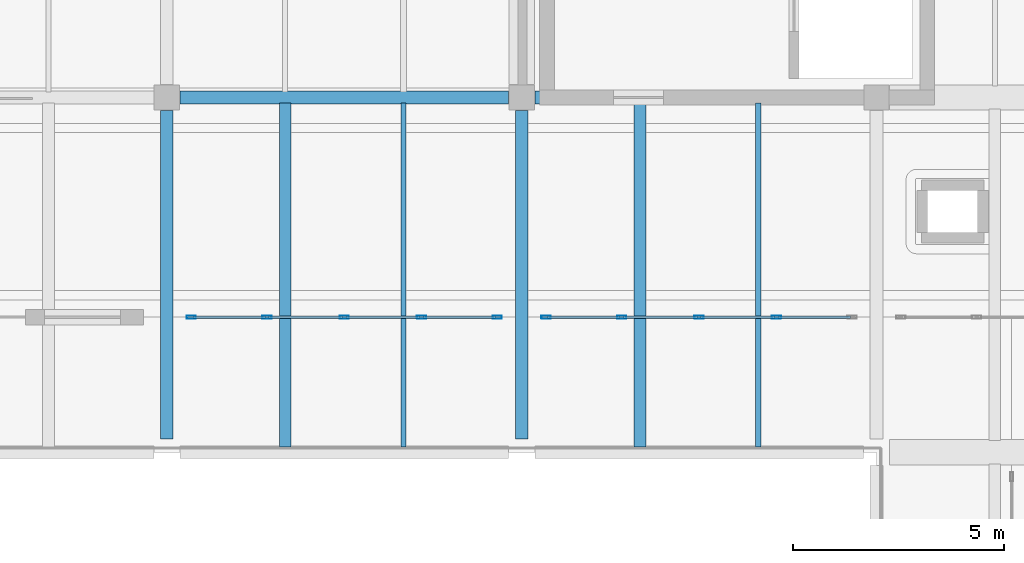
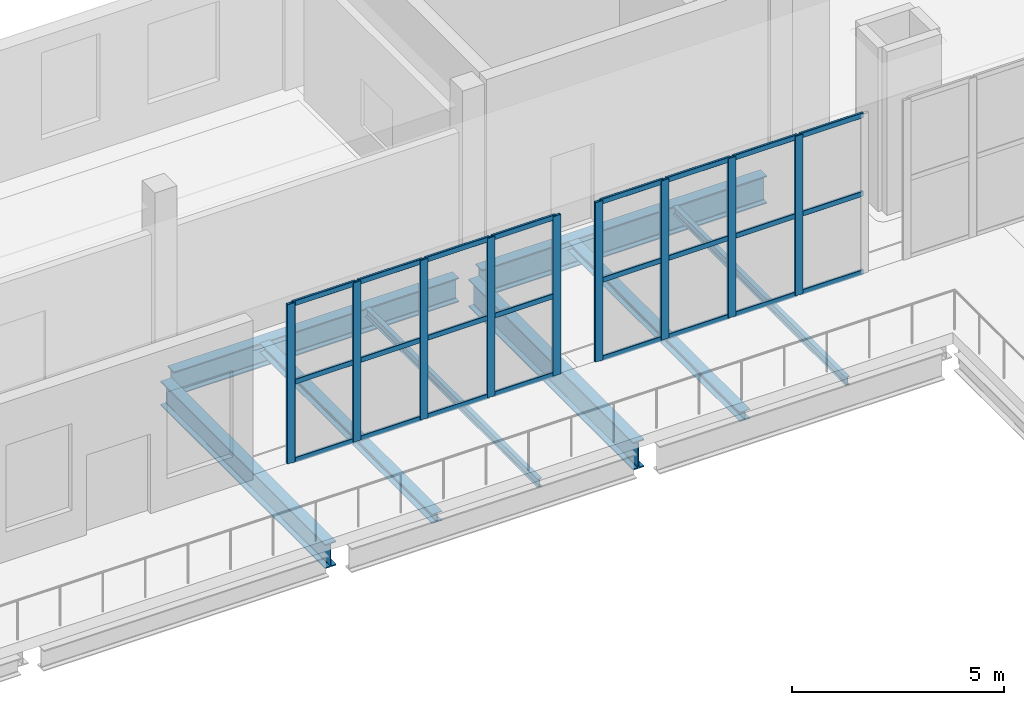
# One storey, part 32 of 77: 33 members, 8 beams, 2 elements without a shape of their own.
"""IFC4 building model written with IfcOpenShell, lengths in metres."""

from ifc_helpers import new_model, si_unit, direction, frame, origin, origin_2d, place, context, subcontext, project, spatial, hollow_rectangle, i_section, extrude, material, layer, layer_set, material_profile, profile_set, type_object, element, aggregate, save


model = new_model("IFC4")

# Units and contexts
model_context = context("Model", 3, precision=1e-05, world=origin(), true_north=direction((0.0, 1.0)))
body_context = subcontext(model_context, "Body", "Model", "MODEL_VIEW")
ifc_project = project(units=[si_unit("LENGTHUNIT", "METRE"), si_unit("AREAUNIT", "SQUARE_METRE"), si_unit("VOLUMEUNIT", "CUBIC_METRE"), si_unit("PLANEANGLEUNIT", "RADIAN"), si_unit("MASSUNIT", "GRAM", prefix="KILO")], contexts=[model_context])

# Site, building, storey
site_placement = place(None, origin())
site = spatial("IfcSite", under=ifc_project, at=site_placement, CompositionType="ELEMENT")
building_placement = place(site_placement, origin())
building = spatial("IfcBuilding", under=site, at=building_placement, Name="Zulmaris Art Gallery", CompositionType="ELEMENT")
storey_placement = place(building_placement, frame((0.0, 0.0, 15.60009765625)))
storey = spatial("IfcBuildingStorey", under=building, at=storey_placement, Name="L03", CompositionType="ELEMENT", Elevation=15.60009765625)

# Beams
ifc_material_1 = material(Name="Steel S355J2", Category="steel")
ifc_material_profile_1 = material_profile(ifc_material_1, i_section(OverallWidth=0.300048828125, OverallDepth=0.699951171875, WebThickness=0.01708984375, FlangeThickness=0.031982421875, FilletRadius=0.027099609375, at=origin_2d()), Name="HEB 700")
ifc_profile_set_1 = profile_set([ifc_material_profile_1], Name="Steel S355J2")
beam_type_1 = type_object("IfcBeamType", Name="BEAM-BM16", PredefinedType="BEAM", material=ifc_profile_set_1)
beam_1_placement = place(storey_placement, frame((108.31005859375, 67.199951171875, -0.72021484375), z_axis=(1.0, 0.0, 0.0), x_axis=(0.0, 1.0, 0.0)))
element("IfcBeam", 1, at=beam_1_placement, inside=storey, type_object=beam_type_1, Name="L03 X-girder (108.0..116.4, y=67.2)", PredefinedType="BEAM", context=body_context, shape_type="SweptSolid", body=[
    extrude(i_section(OverallWidth=0.300048828125, OverallDepth=0.699951171875, WebThickness=0.01708984375, FlangeThickness=0.031982421875, FilletRadius=0.027099609375, at=origin_2d()), origin(), (0.0, 0.0, 1.0), 7.780029296875),
])
beam_2_placement = place(storey_placement, frame((108.0, 59.110107421875, -0.72021484375), z_axis=(0.0, 1.0, 0.0), x_axis=(-1.0, 0.0, 0.0)))
element("IfcBeam", 2, at=beam_2_placement, inside=storey, type_object=beam_type_1, Name="L03 Y-girder (x=108.0, 58.8..67.2)", PredefinedType="BEAM", context=body_context, shape_type="SweptSolid", body=[
    extrude(i_section(OverallWidth=0.300048828125, OverallDepth=0.699951171875, WebThickness=0.01708984375, FlangeThickness=0.031982421875, FilletRadius=0.027099609375, at=origin_2d()), origin(), (0.0, 0.0, 1.0), 7.77978515625),
])
ifc_material_profile_2 = material_profile(ifc_material_1, i_section(OverallWidth=0.300048828125, OverallDepth=0.800048828125, WebThickness=0.017578125, FlangeThickness=0.032958984375, FilletRadius=0.030029296875, at=origin_2d()), Name="HEB 800")
ifc_profile_set_2 = profile_set([ifc_material_profile_2], Name="Steel S355J2")
beam_type_2 = type_object("IfcBeamType", Name="BEAM-BM17", PredefinedType="BEAM", material=ifc_profile_set_2)
beam_3_placement = place(storey_placement, frame((116.7099609375, 67.199951171875, -0.77001953125), z_axis=(1.0, 0.0, 0.0), x_axis=(0.0, 1.0, 0.0)))
element("IfcBeam", 3, at=beam_3_placement, inside=storey, type_object=beam_type_2, Name="L03 X-girder (116.4..124.8, y=67.2)", PredefinedType="BEAM", context=body_context, shape_type="SweptSolid", body=[
    extrude(i_section(OverallWidth=0.300048828125, OverallDepth=0.800048828125, WebThickness=0.017578125, FlangeThickness=0.032958984375, FilletRadius=0.030029296875, at=origin_2d()), origin(), (0.0, 0.0, 1.0), 7.780029296875),
])
beam_4_placement = place(storey_placement, frame((116.39990234375, 59.110107421875, -0.77001953125), z_axis=(0.0, 1.0, 0.0), x_axis=(-1.0, 0.0, 0.0)))
element("IfcBeam", 4, at=beam_4_placement, inside=storey, type_object=beam_type_2, Name="L03 Y-girder (x=116.4, 58.8..67.2)", PredefinedType="BEAM", context=body_context, shape_type="SweptSolid", body=[
    extrude(i_section(OverallWidth=0.300048828125, OverallDepth=0.800048828125, WebThickness=0.017578125, FlangeThickness=0.032958984375, FilletRadius=0.030029296875, at=origin_2d()), origin(), (0.0, 0.0, 1.0), 7.77978515625),
])
ifc_material_profile_3 = material_profile(ifc_material_1, i_section(OverallWidth=0.1201171875, OverallDepth=0.239990234375, WebThickness=0.006103515625, FlangeThickness=0.009765625, FilletRadius=0.014892578125, at=origin_2d()), Name="IPE 240")
ifc_profile_set_3 = profile_set([ifc_material_profile_3], Name="Steel S355J2")
beam_type_3 = type_object("IfcBeamType", Name="BEAM-JS01", PredefinedType="JOIST", material=ifc_profile_set_3)
for number, where, z_axis, x_axis, name in (
    (5, (113.60009765625, 58.925048828125, -0.489990234375), (0.0, 1.0, 0.0), (-1.0, 0.0, 0.0), "L03 secondary joist at x=113.6"),
    (6, (122.0, 58.925048828125, -0.489990234375), (0.0, 1.0, 0.0), (-1.0, 0.0, 0.0), "L03 secondary joist at x=122.0"),
):
    element("IfcBeam", number, at=place(storey_placement, frame(where, z_axis=z_axis, x_axis=x_axis)), inside=storey, type_object=beam_type_3, Name=name, PredefinedType="JOIST", context=body_context, shape_type="SweptSolid", body=[
        extrude(i_section(OverallWidth=0.1201171875, OverallDepth=0.239990234375, WebThickness=0.006103515625, FlangeThickness=0.009765625, FilletRadius=0.014892578125, at=origin_2d()), origin(), (0.0, 0.0, 1.0), 8.14990234375),
    ])
ifc_material_profile_4 = material_profile(ifc_material_1, i_section(OverallWidth=0.280029296875, OverallDepth=0.27001953125, WebThickness=0.008056640625, FlangeThickness=0.012939453125, FilletRadius=0.02392578125, at=origin_2d()), Name="HEA 280")
ifc_profile_set_4 = profile_set([ifc_material_profile_4], Name="Steel S355J2")
beam_type_4 = type_object("IfcBeamType", Name="BEAM-JS04", PredefinedType="JOIST", material=ifc_profile_set_4)
for number, where, z_axis, x_axis, name in (
    (7, (110.800048828125, 58.925048828125, -0.505126953125), (0.0, 1.0, 0.0), (-1.0, 0.0, 0.0), "L03 secondary joist at x=110.8"),
    (8, (119.199951171875, 58.925048828125, -0.505126953125), (0.0, 1.0, 0.0), (-1.0, 0.0, 0.0), "L03 secondary joist at x=119.2"),
):
    element("IfcBeam", number, at=place(storey_placement, frame(where, z_axis=z_axis, x_axis=x_axis)), inside=storey, type_object=beam_type_4, Name=name, PredefinedType="JOIST", context=body_context, shape_type="SweptSolid", body=[
        extrude(i_section(OverallWidth=0.280029296875, OverallDepth=0.27001953125, WebThickness=0.008056640625, FlangeThickness=0.012939453125, FilletRadius=0.02392578125, at=origin_2d()), origin(), (0.0, 0.0, 1.0), 8.14990234375),
    ])

# Curtain wall, members
ifc_material_2 = material(Name="Unitised Low-E Gallery Curtain Wall", Category="aluminium")
ifc_layer = layer(ifc_material_2, 0.179931640625)
ifc_layer_set = layer_set([ifc_layer], Name="Unitised Low-E Gallery Curtain Wall")
curtain_wall_type = type_object("IfcCurtainWallType", Name="CW-CW01", PredefinedType="NOTDEFINED", material=ifc_layer_set)
curtain_wall_1_placement = place(storey_placement, origin())
curtain_wall_1 = element("IfcCurtainWall", 9, at=curtain_wall_1_placement, inside=storey, type_object=curtain_wall_type, Name="L03 curtain wall 115", PredefinedType="NOTDEFINED")
ifc_material_3 = material(Name="Anodised Bronze Aluminium", Category="aluminium")
ifc_material_profile_5 = material_profile(ifc_material_3, hollow_rectangle(XDim=0.074951171875, YDim=0.219970703125, WallThickness=0.0048828125, InnerFilletRadius=0.007568359375, OuterFilletRadius=0.012451171875, at=origin_2d()), Name="ALU 75x220x5")
ifc_profile_set_5 = profile_set([ifc_material_profile_5], Name="Anodised Bronze Aluminium")
member_type_1 = type_object("IfcMemberType", Name="CWMUL-02", PredefinedType="MULLION", material=ifc_profile_set_5)
member_1_placement = place(storey_placement, frame((108.577392578125, 62.0, 0.0), z_axis=(0.0, 0.0, 1.0), x_axis=(0.0, 1.0, 0.0)))
member_1 = element("IfcMember", 10, at=member_1_placement, type_object=member_type_1, Name="CW01 mullion 1", PredefinedType="MULLION", context=body_context, shape_type="SweptSolid", body=[
    extrude(hollow_rectangle(XDim=0.074951171875, YDim=0.219970703125, WallThickness=0.0048828125, InnerFilletRadius=0.007568359375, OuterFilletRadius=0.012451171875, at=origin_2d()), origin(), (0.0, 0.0, 1.0), 4.599853515625),
])
member_2_placement = place(storey_placement, frame((110.3701171875, 62.0, 0.0), z_axis=(0.0, 0.0, 1.0), x_axis=(0.0, 1.0, 0.0)))
member_2 = element("IfcMember", 11, at=member_2_placement, type_object=member_type_1, Name="CW01 mullion 2", PredefinedType="MULLION", context=body_context, shape_type="SweptSolid", body=[
    extrude(hollow_rectangle(XDim=0.074951171875, YDim=0.219970703125, WallThickness=0.0048828125, InnerFilletRadius=0.007568359375, OuterFilletRadius=0.012451171875, at=origin_2d()), origin(), (0.0, 0.0, 1.0), 4.599853515625),
])
member_3_placement = place(storey_placement, frame((112.199951171875, 62.0, 0.0), z_axis=(0.0, 0.0, 1.0), x_axis=(0.0, 1.0, 0.0)))
member_3 = element("IfcMember", 12, at=member_3_placement, type_object=member_type_1, Name="CW01 mullion 3", PredefinedType="MULLION", context=body_context, shape_type="SweptSolid", body=[
    extrude(hollow_rectangle(XDim=0.074951171875, YDim=0.219970703125, WallThickness=0.0048828125, InnerFilletRadius=0.007568359375, OuterFilletRadius=0.012451171875, at=origin_2d()), origin(), (0.0, 0.0, 1.0), 4.599853515625),
])
member_4_placement = place(storey_placement, frame((114.030029296875, 62.0, 0.0), z_axis=(0.0, 0.0, 1.0), x_axis=(0.0, 1.0, 0.0)))
member_4 = element("IfcMember", 13, at=member_4_placement, type_object=member_type_1, Name="CW01 mullion 4", PredefinedType="MULLION", context=body_context, shape_type="SweptSolid", body=[
    extrude(hollow_rectangle(XDim=0.074951171875, YDim=0.219970703125, WallThickness=0.0048828125, InnerFilletRadius=0.007568359375, OuterFilletRadius=0.012451171875, at=origin_2d()), origin(), (0.0, 0.0, 1.0), 4.599853515625),
])
member_5_placement = place(storey_placement, frame((115.822509765625, 62.0, 0.0), z_axis=(0.0, 0.0, 1.0), x_axis=(0.0, 1.0, 0.0)))
member_5 = element("IfcMember", 14, at=member_5_placement, type_object=member_type_1, Name="CW01 mullion 5", PredefinedType="MULLION", context=body_context, shape_type="SweptSolid", body=[
    extrude(hollow_rectangle(XDim=0.074951171875, YDim=0.219970703125, WallThickness=0.0048828125, InnerFilletRadius=0.007568359375, OuterFilletRadius=0.012451171875, at=origin_2d()), origin(), (0.0, 0.0, 1.0), 4.599853515625),
])

curtain_wall_2_placement = place(storey_placement, origin())
curtain_wall_2 = element("IfcCurtainWall", 15, at=curtain_wall_2_placement, inside=storey, type_object=curtain_wall_type, Name="L03 curtain wall 116", PredefinedType="NOTDEFINED")
member_6_placement = place(storey_placement, frame((116.9775390625, 62.0, 0.0), z_axis=(0.0, 0.0, 1.0), x_axis=(0.0, 1.0, 0.0)))
member_6 = element("IfcMember", 16, at=member_6_placement, type_object=member_type_1, Name="CW01 mullion 1", PredefinedType="MULLION", context=body_context, shape_type="SweptSolid", body=[
    extrude(hollow_rectangle(XDim=0.074951171875, YDim=0.219970703125, WallThickness=0.0048828125, InnerFilletRadius=0.007568359375, OuterFilletRadius=0.012451171875, at=origin_2d()), origin(), (0.0, 0.0, 1.0), 4.599853515625),
])
member_7_placement = place(storey_placement, frame((118.77001953125, 62.0, 0.0), z_axis=(0.0, 0.0, 1.0), x_axis=(0.0, 1.0, 0.0)))
member_7 = element("IfcMember", 17, at=member_7_placement, type_object=member_type_1, Name="CW01 mullion 2", PredefinedType="MULLION", context=body_context, shape_type="SweptSolid", body=[
    extrude(hollow_rectangle(XDim=0.074951171875, YDim=0.219970703125, WallThickness=0.0048828125, InnerFilletRadius=0.007568359375, OuterFilletRadius=0.012451171875, at=origin_2d()), origin(), (0.0, 0.0, 1.0), 4.599853515625),
])
member_8_placement = place(storey_placement, frame((120.60009765625, 62.0, 0.0), z_axis=(0.0, 0.0, 1.0), x_axis=(0.0, 1.0, 0.0)))
member_8 = element("IfcMember", 18, at=member_8_placement, type_object=member_type_1, Name="CW01 mullion 3", PredefinedType="MULLION", context=body_context, shape_type="SweptSolid", body=[
    extrude(hollow_rectangle(XDim=0.074951171875, YDim=0.219970703125, WallThickness=0.0048828125, InnerFilletRadius=0.007568359375, OuterFilletRadius=0.012451171875, at=origin_2d()), origin(), (0.0, 0.0, 1.0), 4.599853515625),
])
member_9_placement = place(storey_placement, frame((122.429931640625, 62.0, 0.0), z_axis=(0.0, 0.0, 1.0), x_axis=(0.0, 1.0, 0.0)))
member_9 = element("IfcMember", 19, at=member_9_placement, type_object=member_type_1, Name="CW01 mullion 4", PredefinedType="MULLION", context=body_context, shape_type="SweptSolid", body=[
    extrude(hollow_rectangle(XDim=0.074951171875, YDim=0.219970703125, WallThickness=0.0048828125, InnerFilletRadius=0.007568359375, OuterFilletRadius=0.012451171875, at=origin_2d()), origin(), (0.0, 0.0, 1.0), 4.599853515625),
])

# Member
ifc_material_profile_6 = material_profile(ifc_material_3, hollow_rectangle(XDim=0.06494140625, YDim=0.14990234375, WallThickness=0.00390625, InnerFilletRadius=0.006103515625, OuterFilletRadius=0.010009765625, at=origin_2d()), Name="ALU 65x150x4")
ifc_profile_set_6 = profile_set([ifc_material_profile_6], Name="Anodised Bronze Aluminium")
member_type_2 = type_object("IfcMemberType", Name="CWTRN-01", PredefinedType="USERDEFINED", material=ifc_profile_set_6)
member_10_placement = place(storey_placement, frame((108.614990234375, 62.0, 0.037353515625), z_axis=(1.0, 0.0, 0.0), x_axis=(0.0, 1.0, 0.0)))
member_10 = element("IfcMember", 20, at=member_10_placement, type_object=member_type_2, Name="CW01 transom 1.1", ObjectType="TRANSOM", PredefinedType="USERDEFINED", context=body_context, shape_type="SweptSolid", body=[
    extrude(hollow_rectangle(XDim=0.06494140625, YDim=0.14990234375, WallThickness=0.00390625, InnerFilletRadius=0.006103515625, OuterFilletRadius=0.010009765625, at=origin_2d()), origin(), (0.0, 0.0, 1.0), 1.717529296875),
])

member_11_placement = place(storey_placement, frame((108.614990234375, 62.0, 2.2998046875), z_axis=(1.0, 0.0, 0.0), x_axis=(0.0, 1.0, 0.0)))
member_11 = element("IfcMember", 21, at=member_11_placement, type_object=member_type_2, Name="CW01 transom 1.2", ObjectType="TRANSOM", PredefinedType="USERDEFINED", context=body_context, shape_type="SweptSolid", body=[
    extrude(hollow_rectangle(XDim=0.06494140625, YDim=0.14990234375, WallThickness=0.00390625, InnerFilletRadius=0.006103515625, OuterFilletRadius=0.010009765625, at=origin_2d()), origin(), (0.0, 0.0, 1.0), 1.717529296875),
])

member_12_placement = place(storey_placement, frame((108.614990234375, 62.0, 4.5625), z_axis=(1.0, 0.0, 0.0), x_axis=(0.0, 1.0, 0.0)))
member_12 = element("IfcMember", 22, at=member_12_placement, type_object=member_type_2, Name="CW01 transom 1.3", ObjectType="TRANSOM", PredefinedType="USERDEFINED", context=body_context, shape_type="SweptSolid", body=[
    extrude(hollow_rectangle(XDim=0.06494140625, YDim=0.14990234375, WallThickness=0.00390625, InnerFilletRadius=0.006103515625, OuterFilletRadius=0.010009765625, at=origin_2d()), origin(), (0.0, 0.0, 1.0), 1.717529296875),
])

member_13_placement = place(storey_placement, frame((110.407470703125, 62.0, 0.037353515625), z_axis=(1.0, 0.0, 0.0), x_axis=(0.0, 1.0, 0.0)))
member_13 = element("IfcMember", 23, at=member_13_placement, type_object=member_type_2, Name="CW01 transom 2.1", ObjectType="TRANSOM", PredefinedType="USERDEFINED", context=body_context, shape_type="SweptSolid", body=[
    extrude(hollow_rectangle(XDim=0.06494140625, YDim=0.14990234375, WallThickness=0.00390625, InnerFilletRadius=0.006103515625, OuterFilletRadius=0.010009765625, at=origin_2d()), origin(), (0.0, 0.0, 1.0), 1.755126953125),
])

member_14_placement = place(storey_placement, frame((110.407470703125, 62.0, 2.2998046875), z_axis=(1.0, 0.0, 0.0), x_axis=(0.0, 1.0, 0.0)))
member_14 = element("IfcMember", 24, at=member_14_placement, type_object=member_type_2, Name="CW01 transom 2.2", ObjectType="TRANSOM", PredefinedType="USERDEFINED", context=body_context, shape_type="SweptSolid", body=[
    extrude(hollow_rectangle(XDim=0.06494140625, YDim=0.14990234375, WallThickness=0.00390625, InnerFilletRadius=0.006103515625, OuterFilletRadius=0.010009765625, at=origin_2d()), origin(), (0.0, 0.0, 1.0), 1.755126953125),
])

member_15_placement = place(storey_placement, frame((110.407470703125, 62.0, 4.5625), z_axis=(1.0, 0.0, 0.0), x_axis=(0.0, 1.0, 0.0)))
member_15 = element("IfcMember", 25, at=member_15_placement, type_object=member_type_2, Name="CW01 transom 2.3", ObjectType="TRANSOM", PredefinedType="USERDEFINED", context=body_context, shape_type="SweptSolid", body=[
    extrude(hollow_rectangle(XDim=0.06494140625, YDim=0.14990234375, WallThickness=0.00390625, InnerFilletRadius=0.006103515625, OuterFilletRadius=0.010009765625, at=origin_2d()), origin(), (0.0, 0.0, 1.0), 1.755126953125),
])

member_16_placement = place(storey_placement, frame((112.237548828125, 62.0, 0.037353515625), z_axis=(1.0, 0.0, 0.0), x_axis=(0.0, 1.0, 0.0)))
member_16 = element("IfcMember", 26, at=member_16_placement, type_object=member_type_2, Name="CW01 transom 3.1", ObjectType="TRANSOM", PredefinedType="USERDEFINED", context=body_context, shape_type="SweptSolid", body=[
    extrude(hollow_rectangle(XDim=0.06494140625, YDim=0.14990234375, WallThickness=0.00390625, InnerFilletRadius=0.006103515625, OuterFilletRadius=0.010009765625, at=origin_2d()), origin(), (0.0, 0.0, 1.0), 1.7548828125),
])

member_17_placement = place(storey_placement, frame((112.237548828125, 62.0, 2.2998046875), z_axis=(1.0, 0.0, 0.0), x_axis=(0.0, 1.0, 0.0)))
member_17 = element("IfcMember", 27, at=member_17_placement, type_object=member_type_2, Name="CW01 transom 3.2", ObjectType="TRANSOM", PredefinedType="USERDEFINED", context=body_context, shape_type="SweptSolid", body=[
    extrude(hollow_rectangle(XDim=0.06494140625, YDim=0.14990234375, WallThickness=0.00390625, InnerFilletRadius=0.006103515625, OuterFilletRadius=0.010009765625, at=origin_2d()), origin(), (0.0, 0.0, 1.0), 1.7548828125),
])

member_18_placement = place(storey_placement, frame((112.237548828125, 62.0, 4.5625), z_axis=(1.0, 0.0, 0.0), x_axis=(0.0, 1.0, 0.0)))
member_18 = element("IfcMember", 28, at=member_18_placement, type_object=member_type_2, Name="CW01 transom 3.3", ObjectType="TRANSOM", PredefinedType="USERDEFINED", context=body_context, shape_type="SweptSolid", body=[
    extrude(hollow_rectangle(XDim=0.06494140625, YDim=0.14990234375, WallThickness=0.00390625, InnerFilletRadius=0.006103515625, OuterFilletRadius=0.010009765625, at=origin_2d()), origin(), (0.0, 0.0, 1.0), 1.7548828125),
])

member_19_placement = place(storey_placement, frame((114.0673828125, 62.0, 0.037353515625), z_axis=(1.0, 0.0, 0.0), x_axis=(0.0, 1.0, 0.0)))
member_19 = element("IfcMember", 29, at=member_19_placement, type_object=member_type_2, Name="CW01 transom 4.1", ObjectType="TRANSOM", PredefinedType="USERDEFINED", context=body_context, shape_type="SweptSolid", body=[
    extrude(hollow_rectangle(XDim=0.06494140625, YDim=0.14990234375, WallThickness=0.00390625, InnerFilletRadius=0.006103515625, OuterFilletRadius=0.010009765625, at=origin_2d()), origin(), (0.0, 0.0, 1.0), 1.717529296875),
])

member_20_placement = place(storey_placement, frame((114.0673828125, 62.0, 2.2998046875), z_axis=(1.0, 0.0, 0.0), x_axis=(0.0, 1.0, 0.0)))
member_20 = element("IfcMember", 30, at=member_20_placement, type_object=member_type_2, Name="CW01 transom 4.2", ObjectType="TRANSOM", PredefinedType="USERDEFINED", context=body_context, shape_type="SweptSolid", body=[
    extrude(hollow_rectangle(XDim=0.06494140625, YDim=0.14990234375, WallThickness=0.00390625, InnerFilletRadius=0.006103515625, OuterFilletRadius=0.010009765625, at=origin_2d()), origin(), (0.0, 0.0, 1.0), 1.717529296875),
])

member_21_placement = place(storey_placement, frame((114.0673828125, 62.0, 4.5625), z_axis=(1.0, 0.0, 0.0), x_axis=(0.0, 1.0, 0.0)))
member_21 = element("IfcMember", 31, at=member_21_placement, type_object=member_type_2, Name="CW01 transom 4.3", ObjectType="TRANSOM", PredefinedType="USERDEFINED", context=body_context, shape_type="SweptSolid", body=[
    extrude(hollow_rectangle(XDim=0.06494140625, YDim=0.14990234375, WallThickness=0.00390625, InnerFilletRadius=0.006103515625, OuterFilletRadius=0.010009765625, at=origin_2d()), origin(), (0.0, 0.0, 1.0), 1.717529296875),
])

aggregate(curtain_wall_1, [member_1, member_2, member_3, member_4, member_5, member_10, member_11, member_12, member_13, member_14, member_15, member_16, member_17, member_18, member_19, member_20, member_21])

member_22_placement = place(storey_placement, frame((117.014892578125, 62.0, 0.037353515625), z_axis=(1.0, 0.0, 0.0), x_axis=(0.0, 1.0, 0.0)))
member_22 = element("IfcMember", 32, at=member_22_placement, type_object=member_type_2, Name="CW01 transom 1.1", ObjectType="TRANSOM", PredefinedType="USERDEFINED", context=body_context, shape_type="SweptSolid", body=[
    extrude(hollow_rectangle(XDim=0.06494140625, YDim=0.14990234375, WallThickness=0.00390625, InnerFilletRadius=0.006103515625, OuterFilletRadius=0.010009765625, at=origin_2d()), origin(), (0.0, 0.0, 1.0), 1.717529296875),
])

member_23_placement = place(storey_placement, frame((117.014892578125, 62.0, 2.2998046875), z_axis=(1.0, 0.0, 0.0), x_axis=(0.0, 1.0, 0.0)))
member_23 = element("IfcMember", 33, at=member_23_placement, type_object=member_type_2, Name="CW01 transom 1.2", ObjectType="TRANSOM", PredefinedType="USERDEFINED", context=body_context, shape_type="SweptSolid", body=[
    extrude(hollow_rectangle(XDim=0.06494140625, YDim=0.14990234375, WallThickness=0.00390625, InnerFilletRadius=0.006103515625, OuterFilletRadius=0.010009765625, at=origin_2d()), origin(), (0.0, 0.0, 1.0), 1.717529296875),
])

member_24_placement = place(storey_placement, frame((117.014892578125, 62.0, 4.5625), z_axis=(1.0, 0.0, 0.0), x_axis=(0.0, 1.0, 0.0)))
member_24 = element("IfcMember", 34, at=member_24_placement, type_object=member_type_2, Name="CW01 transom 1.3", ObjectType="TRANSOM", PredefinedType="USERDEFINED", context=body_context, shape_type="SweptSolid", body=[
    extrude(hollow_rectangle(XDim=0.06494140625, YDim=0.14990234375, WallThickness=0.00390625, InnerFilletRadius=0.006103515625, OuterFilletRadius=0.010009765625, at=origin_2d()), origin(), (0.0, 0.0, 1.0), 1.717529296875),
])

member_25_placement = place(storey_placement, frame((118.8076171875, 62.0, 0.037353515625), z_axis=(1.0, 0.0, 0.0), x_axis=(0.0, 1.0, 0.0)))
member_25 = element("IfcMember", 35, at=member_25_placement, type_object=member_type_2, Name="CW01 transom 2.1", ObjectType="TRANSOM", PredefinedType="USERDEFINED", context=body_context, shape_type="SweptSolid", body=[
    extrude(hollow_rectangle(XDim=0.06494140625, YDim=0.14990234375, WallThickness=0.00390625, InnerFilletRadius=0.006103515625, OuterFilletRadius=0.010009765625, at=origin_2d()), origin(), (0.0, 0.0, 1.0), 1.7548828125),
])

member_26_placement = place(storey_placement, frame((118.8076171875, 62.0, 2.2998046875), z_axis=(1.0, 0.0, 0.0), x_axis=(0.0, 1.0, 0.0)))
member_26 = element("IfcMember", 36, at=member_26_placement, type_object=member_type_2, Name="CW01 transom 2.2", ObjectType="TRANSOM", PredefinedType="USERDEFINED", context=body_context, shape_type="SweptSolid", body=[
    extrude(hollow_rectangle(XDim=0.06494140625, YDim=0.14990234375, WallThickness=0.00390625, InnerFilletRadius=0.006103515625, OuterFilletRadius=0.010009765625, at=origin_2d()), origin(), (0.0, 0.0, 1.0), 1.7548828125),
])

member_27_placement = place(storey_placement, frame((118.8076171875, 62.0, 4.5625), z_axis=(1.0, 0.0, 0.0), x_axis=(0.0, 1.0, 0.0)))
member_27 = element("IfcMember", 37, at=member_27_placement, type_object=member_type_2, Name="CW01 transom 2.3", ObjectType="TRANSOM", PredefinedType="USERDEFINED", context=body_context, shape_type="SweptSolid", body=[
    extrude(hollow_rectangle(XDim=0.06494140625, YDim=0.14990234375, WallThickness=0.00390625, InnerFilletRadius=0.006103515625, OuterFilletRadius=0.010009765625, at=origin_2d()), origin(), (0.0, 0.0, 1.0), 1.7548828125),
])

member_28_placement = place(storey_placement, frame((120.637451171875, 62.0, 0.037353515625), z_axis=(1.0, 0.0, 0.0), x_axis=(0.0, 1.0, 0.0)))
member_28 = element("IfcMember", 38, at=member_28_placement, type_object=member_type_2, Name="CW01 transom 3.1", ObjectType="TRANSOM", PredefinedType="USERDEFINED", context=body_context, shape_type="SweptSolid", body=[
    extrude(hollow_rectangle(XDim=0.06494140625, YDim=0.14990234375, WallThickness=0.00390625, InnerFilletRadius=0.006103515625, OuterFilletRadius=0.010009765625, at=origin_2d()), origin(), (0.0, 0.0, 1.0), 1.755126953125),
])

member_29_placement = place(storey_placement, frame((120.637451171875, 62.0, 2.2998046875), z_axis=(1.0, 0.0, 0.0), x_axis=(0.0, 1.0, 0.0)))
member_29 = element("IfcMember", 39, at=member_29_placement, type_object=member_type_2, Name="CW01 transom 3.2", ObjectType="TRANSOM", PredefinedType="USERDEFINED", context=body_context, shape_type="SweptSolid", body=[
    extrude(hollow_rectangle(XDim=0.06494140625, YDim=0.14990234375, WallThickness=0.00390625, InnerFilletRadius=0.006103515625, OuterFilletRadius=0.010009765625, at=origin_2d()), origin(), (0.0, 0.0, 1.0), 1.755126953125),
])

member_30_placement = place(storey_placement, frame((120.637451171875, 62.0, 4.5625), z_axis=(1.0, 0.0, 0.0), x_axis=(0.0, 1.0, 0.0)))
member_30 = element("IfcMember", 40, at=member_30_placement, type_object=member_type_2, Name="CW01 transom 3.3", ObjectType="TRANSOM", PredefinedType="USERDEFINED", context=body_context, shape_type="SweptSolid", body=[
    extrude(hollow_rectangle(XDim=0.06494140625, YDim=0.14990234375, WallThickness=0.00390625, InnerFilletRadius=0.006103515625, OuterFilletRadius=0.010009765625, at=origin_2d()), origin(), (0.0, 0.0, 1.0), 1.755126953125),
])

member_31_placement = place(storey_placement, frame((122.467529296875, 62.0, 0.037353515625), z_axis=(1.0, 0.0, 0.0), x_axis=(0.0, 1.0, 0.0)))
member_31 = element("IfcMember", 41, at=member_31_placement, type_object=member_type_2, Name="CW01 transom 4.1", ObjectType="TRANSOM", PredefinedType="USERDEFINED", context=body_context, shape_type="SweptSolid", body=[
    extrude(hollow_rectangle(XDim=0.06494140625, YDim=0.14990234375, WallThickness=0.00390625, InnerFilletRadius=0.006103515625, OuterFilletRadius=0.010009765625, at=origin_2d()), origin(), (0.0, 0.0, 1.0), 1.717529296875),
])

member_32_placement = place(storey_placement, frame((122.467529296875, 62.0, 2.2998046875), z_axis=(1.0, 0.0, 0.0), x_axis=(0.0, 1.0, 0.0)))
member_32 = element("IfcMember", 42, at=member_32_placement, type_object=member_type_2, Name="CW01 transom 4.2", ObjectType="TRANSOM", PredefinedType="USERDEFINED", context=body_context, shape_type="SweptSolid", body=[
    extrude(hollow_rectangle(XDim=0.06494140625, YDim=0.14990234375, WallThickness=0.00390625, InnerFilletRadius=0.006103515625, OuterFilletRadius=0.010009765625, at=origin_2d()), origin(), (0.0, 0.0, 1.0), 1.717529296875),
])

member_33_placement = place(storey_placement, frame((122.467529296875, 62.0, 4.5625), z_axis=(1.0, 0.0, 0.0), x_axis=(0.0, 1.0, 0.0)))
member_33 = element("IfcMember", 43, at=member_33_placement, type_object=member_type_2, Name="CW01 transom 4.3", ObjectType="TRANSOM", PredefinedType="USERDEFINED", context=body_context, shape_type="SweptSolid", body=[
    extrude(hollow_rectangle(XDim=0.06494140625, YDim=0.14990234375, WallThickness=0.00390625, InnerFilletRadius=0.006103515625, OuterFilletRadius=0.010009765625, at=origin_2d()), origin(), (0.0, 0.0, 1.0), 1.717529296875),
])

aggregate(curtain_wall_2, [member_6, member_7, member_8, member_9, member_22, member_23, member_24, member_25, member_26, member_27, member_28, member_29, member_30, member_31, member_32, member_33])

save(model, "model.ifc")
